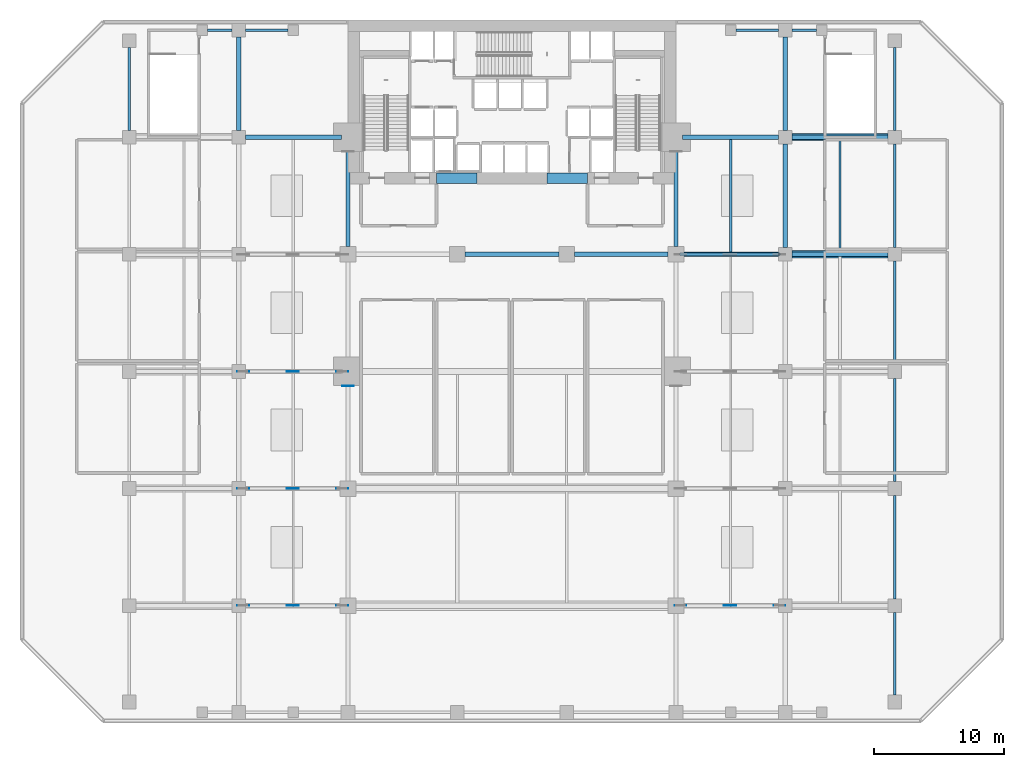
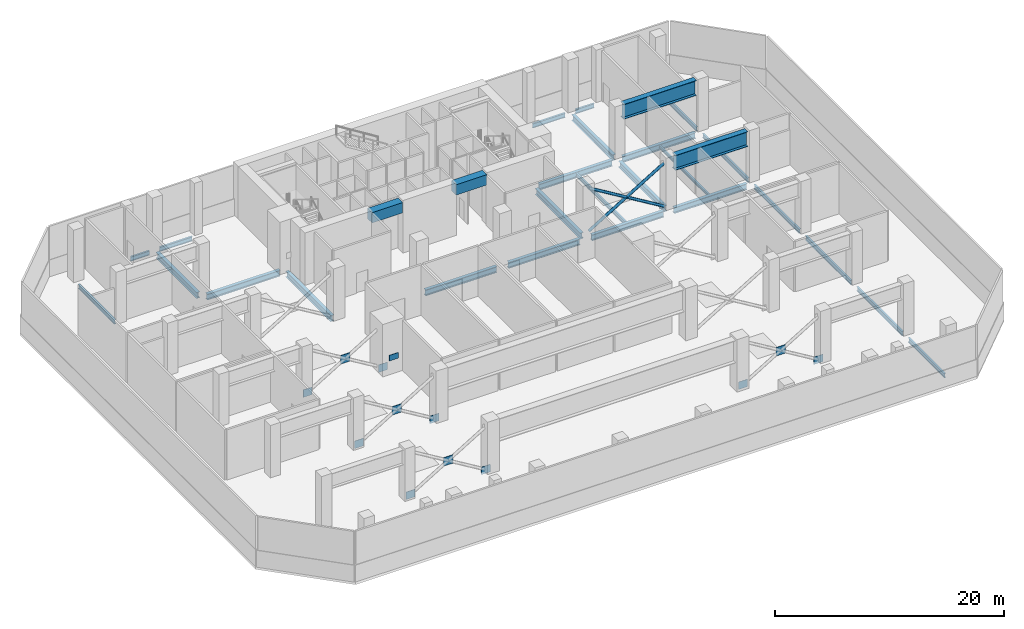
# One storey, part 3 of 15: 29 beams, 13 plates, 3 members.
"""IFC4 building model written with IfcOpenShell, lengths in metres."""

from ifc_helpers import new_model, si_unit, direction, frame, origin, origin_2d, place, context, subcontext, project, spatial, rectangle, hollow_circle, i_section, extrude, material, layer, layer_set, material_profile, profile_set, type_object, element, save


model = new_model("IFC4")

# Units and contexts
model_context = context("Model", 3, precision=1e-05, world=origin(), true_north=direction((0.0, 1.0)))
body_context = subcontext(model_context, "Body", "Model", "MODEL_VIEW")
ifc_project = project(units=[si_unit("LENGTHUNIT", "METRE"), si_unit("AREAUNIT", "SQUARE_METRE"), si_unit("VOLUMEUNIT", "CUBIC_METRE"), si_unit("PLANEANGLEUNIT", "RADIAN"), si_unit("MASSUNIT", "GRAM", prefix="KILO")], contexts=[model_context])

# Site, building, storey
site_placement = place(None, origin())
site = spatial("IfcSite", under=ifc_project, at=site_placement, CompositionType="ELEMENT")
building_placement = place(site_placement, origin())
building = spatial("IfcBuilding", under=site, at=building_placement, Name="Maruvema Waterfront Hotel and Observation Tower", CompositionType="ELEMENT")
storey_placement = place(building_placement, frame((0.0, 0.0, 21.35009765625)))
storey = spatial("IfcBuildingStorey", under=building, at=storey_placement, Name="L04", CompositionType="ELEMENT", Elevation=21.35009765625)

# Beams
ifc_material_1 = material(Name="Concrete C60/75", Category="concrete")
ifc_material_profile_1 = material_profile(ifc_material_1, rectangle(XDim=0.800048828125, YDim=1.10009765625, at=origin_2d()), Name="CB800x1100")
ifc_profile_set_1 = profile_set([ifc_material_profile_1], Name="Concrete C60/75")
beam_type_1 = type_object("IfcBeamType", Name="Core Coupling Lintel Beam CB800x1100", PredefinedType="LINTEL", material=ifc_profile_set_1)
for number, where, z_axis, x_axis, name in (
    (1, (32.0, 41.85009765625, 4.809814453125), (1.0, 0.0, 0.0), (0.0, 1.0, 0.0), "L04 Core Coupling Lintel Beam West"),
    (2, (40.5, 41.85009765625, 4.809814453125), (1.0, 0.0, 0.0), (0.0, 1.0, 0.0), "L04 Core Coupling Lintel Beam East"),
):
    element("IfcBeam", number, at=place(storey_placement, frame(where, z_axis=z_axis, x_axis=x_axis)), inside=storey, type_object=beam_type_1, Name=name, PredefinedType="LINTEL", context=body_context, shape_type="SweptSolid", body=[
        extrude(rectangle(XDim=0.800048828125, YDim=1.10009765625, at=origin_2d()), origin(), (0.0, 0.0, 1.0), 3.10009765625),
    ])
ifc_material_2 = material(Name="Steel ASTM A572 Grade 50", Category="steel")
ifc_material_profile_2 = material_profile(ifc_material_2, i_section(OverallWidth=0.18994140625, OverallDepth=0.45703125, WebThickness=0.009033203125, FlangeThickness=0.014404296875, FilletRadius=0.014892578125, at=origin_2d()), Name="W460x74.0")
ifc_profile_set_2 = profile_set([ifc_material_profile_2], Name="Steel ASTM A572 Grade 50")
beam_type_2 = type_object("IfcBeamType", Name="Perimeter Spandrel Beam W460x74.0", PredefinedType="SPANDREL", material=ifc_profile_set_2)
beam_1_placement = place(storey_placement, frame((14.39990234375, 53.199951171875, -0.508544921875), z_axis=(1.0, 0.0, 0.0), x_axis=(0.0, 1.0, 0.0)))
element("IfcBeam", 3, at=beam_1_placement, inside=storey, type_object=beam_type_2, Name="L04 Floor Girder EW-36", PredefinedType="SPANDREL", context=body_context, shape_type="SweptSolid", body=[
    extrude(i_section(OverallWidth=0.18994140625, OverallDepth=0.45703125, WebThickness=0.009033203125, FlangeThickness=0.014404296875, FilletRadius=0.014892578125, at=origin_2d()), origin(), (0.0, 0.0, 1.0), 1.875),
])
beam_2_placement = place(storey_placement, frame((17.324951171875, 53.199951171875, -0.508544921875), z_axis=(1.0, 0.0, 0.0), x_axis=(0.0, 1.0, 0.0)))
element("IfcBeam", 4, at=beam_2_placement, inside=storey, type_object=beam_type_2, Name="L04 Floor Girder EW-37", PredefinedType="SPANDREL", context=body_context, shape_type="SweptSolid", body=[
    extrude(i_section(OverallWidth=0.18994140625, OverallDepth=0.45703125, WebThickness=0.009033203125, FlangeThickness=0.014404296875, FilletRadius=0.014892578125, at=origin_2d()), origin(), (0.0, 0.0, 1.0), 3.275146484375),
])
beam_3_placement = place(storey_placement, frame((55.0, 53.199951171875, -0.508544921875), z_axis=(1.0, 0.0, 0.0), x_axis=(0.0, 1.0, 0.0)))
element("IfcBeam", 5, at=beam_3_placement, inside=storey, type_object=beam_type_2, Name="L04 Floor Girder EW-38", PredefinedType="SPANDREL", context=body_context, shape_type="SweptSolid", body=[
    extrude(i_section(OverallWidth=0.18994140625, OverallDepth=0.45703125, WebThickness=0.009033203125, FlangeThickness=0.014404296875, FilletRadius=0.014892578125, at=origin_2d()), origin(), (0.0, 0.0, 1.0), 3.27490234375),
])
beam_4_placement = place(storey_placement, frame((59.324951171875, 53.199951171875, -0.508544921875), z_axis=(1.0, 0.0, 0.0), x_axis=(0.0, 1.0, 0.0)))
element("IfcBeam", 6, at=beam_4_placement, inside=storey, type_object=beam_type_2, Name="L04 Floor Girder EW-39", PredefinedType="SPANDREL", context=body_context, shape_type="SweptSolid", body=[
    extrude(i_section(OverallWidth=0.18994140625, OverallDepth=0.45703125, WebThickness=0.009033203125, FlangeThickness=0.014404296875, FilletRadius=0.014892578125, at=origin_2d()), origin(), (0.0, 0.0, 1.0), 1.875),
])
for number, where, z_axis, x_axis, name in (
    (7, (8.39990234375, 45.52490234375, -0.508544921875), (0.0, 1.0, 0.0), (-1.0, 0.0, 0.0), "L04 Floor Girder NS-06"),
    (8, (67.199951171875, 2.125, -0.508544921875), (0.0, 1.0, 0.0), (-1.0, 0.0, 0.0), "L04 Floor Girder NS-29"),
):
    element("IfcBeam", number, at=place(storey_placement, frame(where, z_axis=z_axis, x_axis=x_axis)), inside=storey, type_object=beam_type_2, Name=name, PredefinedType="SPANDREL", context=body_context, shape_type="SweptSolid", body=[
        extrude(i_section(OverallWidth=0.18994140625, OverallDepth=0.45703125, WebThickness=0.009033203125, FlangeThickness=0.014404296875, FilletRadius=0.014892578125, at=origin_2d()), origin(), (0.0, 0.0, 1.0), 6.35009765625),
    ])
for number, where, z_axis, x_axis, name in (
    (9, (67.199951171875, 9.52490234375, -0.508544921875), (0.0, 1.0, 0.0), (-1.0, 0.0, 0.0), "L04 Floor Girder NS-30"),
    (10, (67.199951171875, 18.52490234375, -0.508544921875), (0.0, 1.0, 0.0), (-1.0, 0.0, 0.0), "L04 Floor Girder NS-31"),
    (11, (67.199951171875, 27.52490234375, -0.508544921875), (0.0, 1.0, 0.0), (-1.0, 0.0, 0.0), "L04 Floor Girder NS-32"),
    (12, (67.199951171875, 36.52490234375, -0.508544921875), (0.0, 1.0, 0.0), (-1.0, 0.0, 0.0), "L04 Floor Girder NS-33"),
):
    element("IfcBeam", number, at=place(storey_placement, frame(where, z_axis=z_axis, x_axis=x_axis)), inside=storey, type_object=beam_type_2, Name=name, PredefinedType="SPANDREL", context=body_context, shape_type="SweptSolid", body=[
        extrude(i_section(OverallWidth=0.18994140625, OverallDepth=0.45703125, WebThickness=0.009033203125, FlangeThickness=0.014404296875, FilletRadius=0.014892578125, at=origin_2d()), origin(), (0.0, 0.0, 1.0), 7.9501953125),
    ])
beam_5_placement = place(storey_placement, frame((67.199951171875, 45.52490234375, -0.508544921875), z_axis=(0.0, 1.0, 0.0), x_axis=(-1.0, 0.0, 0.0)))
element("IfcBeam", 13, at=beam_5_placement, inside=storey, type_object=beam_type_2, Name="L04 Floor Girder NS-34", PredefinedType="SPANDREL", context=body_context, shape_type="SweptSolid", body=[
    extrude(i_section(OverallWidth=0.18994140625, OverallDepth=0.45703125, WebThickness=0.009033203125, FlangeThickness=0.014404296875, FilletRadius=0.014892578125, at=origin_2d()), origin(), (0.0, 0.0, 1.0), 6.35009765625),
])

# Members
ifc_material_3 = material(Name="Steel ABNT NBR 7007 AR 350 (ASTM A572 Grade 50)", Category="steel")
ifc_material_profile_3 = material_profile(ifc_material_3, hollow_circle(Radius=0.136474609375, WallThickness=0.012451171875, at=origin_2d()), Name="CHS273.0x12.5")
ifc_profile_set_3 = profile_set([ifc_material_profile_3], Name="Steel ABNT NBR 7007 AR 350 (ASTM A572 Grade 50)")
member_type = type_object("IfcMemberType", Name="Podium Transfer Strut CHS273.0x12.5", PredefinedType="BRACE", material=ifc_profile_set_3)
member_placement = place(storey_placement, frame((50.75, 36.0, 0.14990234375), z_axis=(0.855997175683, 0.0, 0.516980497913), x_axis=(0.0, 1.0, 0.0)))
element("IfcMember", 14, at=member_placement, inside=storey, type_object=member_type, Name="L04 Transfer Truss Diagonal 08 Continuous A", PredefinedType="BRACE", context=body_context, shape_type="SweptSolid", body=[
    extrude(hollow_circle(Radius=0.136474609375, WallThickness=0.012451171875, at=origin_2d()), origin(), (0.0, 0.0, 1.0), 8.878662109375),
])
for number, where, z_axis, x_axis, name in (
    (15, (58.35009765625, 36.0, 0.14990234375), (-0.856002637589, 0.0, 0.516971454183), (0.0, -1.0, 0.0), "L04 Transfer Truss Diagonal 08 Split Lower B1"),
    (16, (54.532958984375, 36.0, 2.455322265625), (-0.856002637589, 0.0, 0.516971454183), (0.0, -1.0, 0.0), "L04 Transfer Truss Diagonal 08 Split Upper B2"),
):
    element("IfcMember", number, at=place(storey_placement, frame(where, z_axis=z_axis, x_axis=x_axis)), inside=storey, type_object=member_type, Name=name, PredefinedType="BRACE", context=body_context, shape_type="SweptSolid", body=[
        extrude(hollow_circle(Radius=0.136474609375, WallThickness=0.012451171875, at=origin_2d()), origin(), (0.0, 0.0, 1.0), 4.41943359375),
    ])

# Beams
ifc_material_4 = material(Name="Steel ASTM A572 Grade 50", Category="steel")
ifc_material_profile_4 = material_profile(ifc_material_4, i_section(OverallWidth=0.3291015625, OverallDepth=0.635009765625, WebThickness=0.017822265625, FlangeThickness=0.031005859375, FilletRadius=0.01806640625, at=origin_2d()), Name="W610x241.0")
ifc_profile_set_4 = profile_set([ifc_material_profile_4], Name="Steel ASTM A572 Grade 50")
beam_type_3 = type_object("IfcBeamType", Name="Primary Floor Girder W610x241.0", PredefinedType="BEAM", material=ifc_profile_set_4)
for number, where, z_axis, x_axis, name in (
    (17, (34.199951171875, 36.0, -0.59765625), (1.0, 0.0, 0.0), (0.0, 1.0, 0.0), "L04 Floor Girder EW-28"),
    (18, (42.60009765625, 36.0, -0.59765625), (1.0, 0.0, 0.0), (0.0, 1.0, 0.0), "L04 Floor Girder EW-29"),
):
    element("IfcBeam", number, at=place(storey_placement, frame(where, z_axis=z_axis, x_axis=x_axis)), inside=storey, type_object=beam_type_3, Name=name, PredefinedType="BEAM", context=body_context, shape_type="SweptSolid", body=[
        extrude(i_section(OverallWidth=0.3291015625, OverallDepth=0.635009765625, WebThickness=0.017822265625, FlangeThickness=0.031005859375, FilletRadius=0.01806640625, at=origin_2d()), origin(), (0.0, 0.0, 1.0), 7.199951171875),
    ])
beam_6_placement = place(storey_placement, frame((51.0, 36.0, -0.59765625), z_axis=(1.0, 0.0, 0.0), x_axis=(0.0, 1.0, 0.0)))
element("IfcBeam", 19, at=beam_6_placement, inside=storey, type_object=beam_type_3, Name="L04 Floor Girder EW-30", PredefinedType="BEAM", context=body_context, shape_type="SweptSolid", body=[
    extrude(i_section(OverallWidth=0.3291015625, OverallDepth=0.635009765625, WebThickness=0.017822265625, FlangeThickness=0.031005859375, FilletRadius=0.01806640625, at=origin_2d()), origin(), (0.0, 0.0, 1.0), 7.27490234375),
])
beam_7_placement = place(storey_placement, frame((59.324951171875, 36.0, -0.59765625), z_axis=(1.0, 0.0, 0.0), x_axis=(0.0, 1.0, 0.0)))
element("IfcBeam", 20, at=beam_7_placement, inside=storey, type_object=beam_type_3, Name="L04 Floor Girder EW-31", PredefinedType="BEAM", context=body_context, shape_type="SweptSolid", body=[
    extrude(i_section(OverallWidth=0.3291015625, OverallDepth=0.635009765625, WebThickness=0.017822265625, FlangeThickness=0.031005859375, FilletRadius=0.01806640625, at=origin_2d()), origin(), (0.0, 0.0, 1.0), 7.35009765625),
])
for number, where, z_axis, x_axis, name in (
    (21, (17.324951171875, 45.0, -0.59765625), (1.0, 0.0, 0.0), (0.0, 1.0, 0.0), "L04 Floor Girder EW-33"),
    (22, (50.89990234375, 45.0, -0.59765625), (1.0, 0.0, 0.0), (0.0, 1.0, 0.0), "L04 Floor Girder EW-34"),
):
    element("IfcBeam", number, at=place(storey_placement, frame(where, z_axis=z_axis, x_axis=x_axis)), inside=storey, type_object=beam_type_3, Name=name, PredefinedType="BEAM", context=body_context, shape_type="SweptSolid", body=[
        extrude(i_section(OverallWidth=0.3291015625, OverallDepth=0.635009765625, WebThickness=0.017822265625, FlangeThickness=0.031005859375, FilletRadius=0.01806640625, at=origin_2d()), origin(), (0.0, 0.0, 1.0), 7.375),
    ])
beam_8_placement = place(storey_placement, frame((59.324951171875, 45.0, -0.59765625), z_axis=(1.0, 0.0, 0.0), x_axis=(0.0, 1.0, 0.0)))
element("IfcBeam", 23, at=beam_8_placement, inside=storey, type_object=beam_type_3, Name="L04 Floor Girder EW-35", PredefinedType="BEAM", context=body_context, shape_type="SweptSolid", body=[
    extrude(i_section(OverallWidth=0.3291015625, OverallDepth=0.635009765625, WebThickness=0.017822265625, FlangeThickness=0.031005859375, FilletRadius=0.01806640625, at=origin_2d()), origin(), (0.0, 0.0, 1.0), 7.35009765625),
])
beam_9_placement = place(storey_placement, frame((16.800048828125, 45.52490234375, -0.59765625), z_axis=(0.0, 1.0, 0.0), x_axis=(-1.0, 0.0, 0.0)))
element("IfcBeam", 24, at=beam_9_placement, inside=storey, type_object=beam_type_3, Name="L04 Floor Girder NS-12", PredefinedType="BEAM", context=body_context, shape_type="SweptSolid", body=[
    extrude(i_section(OverallWidth=0.3291015625, OverallDepth=0.635009765625, WebThickness=0.017822265625, FlangeThickness=0.031005859375, FilletRadius=0.01806640625, at=origin_2d()), origin(), (0.0, 0.0, 1.0), 7.150146484375),
])
for number, where, z_axis, x_axis, name in (
    (25, (25.199951171875, 36.60009765625, -0.59765625), (0.0, 1.0, 0.0), (-1.0, 0.0, 0.0), "L04 Floor Girder NS-17"),
    (26, (50.39990234375, 36.60009765625, -0.59765625), (0.0, 1.0, 0.0), (-1.0, 0.0, 0.0), "L04 Floor Girder NS-22"),
):
    element("IfcBeam", number, at=place(storey_placement, frame(where, z_axis=z_axis, x_axis=x_axis)), inside=storey, type_object=beam_type_3, Name=name, PredefinedType="BEAM", context=body_context, shape_type="SweptSolid", body=[
        extrude(i_section(OverallWidth=0.3291015625, OverallDepth=0.635009765625, WebThickness=0.017822265625, FlangeThickness=0.031005859375, FilletRadius=0.01806640625, at=origin_2d()), origin(), (0.0, 0.0, 1.0), 7.89990234375),
    ])
beam_10_placement = place(storey_placement, frame((58.800048828125, 36.52490234375, -0.59765625), z_axis=(0.0, 1.0, 0.0), x_axis=(-1.0, 0.0, 0.0)))
element("IfcBeam", 27, at=beam_10_placement, inside=storey, type_object=beam_type_3, Name="L04 Floor Girder NS-27", PredefinedType="BEAM", context=body_context, shape_type="SweptSolid", body=[
    extrude(i_section(OverallWidth=0.3291015625, OverallDepth=0.635009765625, WebThickness=0.017822265625, FlangeThickness=0.031005859375, FilletRadius=0.01806640625, at=origin_2d()), origin(), (0.0, 0.0, 1.0), 7.9501953125),
])
beam_11_placement = place(storey_placement, frame((58.800048828125, 45.52490234375, -0.59765625), z_axis=(0.0, 1.0, 0.0), x_axis=(-1.0, 0.0, 0.0)))
element("IfcBeam", 28, at=beam_11_placement, inside=storey, type_object=beam_type_3, Name="L04 Floor Girder NS-28", PredefinedType="BEAM", context=body_context, shape_type="SweptSolid", body=[
    extrude(i_section(OverallWidth=0.3291015625, OverallDepth=0.635009765625, WebThickness=0.017822265625, FlangeThickness=0.031005859375, FilletRadius=0.01806640625, at=origin_2d()), origin(), (0.0, 0.0, 1.0), 7.150146484375),
])
ifc_material_5 = material(Name="Steel ASTM A572 Grade 50", Category="steel")
ifc_material_profile_5 = material_profile(ifc_material_5, i_section(OverallWidth=0.1669921875, OverallDepth=0.31689453125, WebThickness=0.007568359375, FlangeThickness=0.01318359375, FilletRadius=0.012939453125, at=origin_2d()), Name="W310x52.0")
ifc_profile_set_5 = profile_set([ifc_material_profile_5], Name="Steel ASTM A572 Grade 50")
beam_type_4 = type_object("IfcBeamType", Name="Secondary Floor Joist W310x52.0", PredefinedType="JOIST", material=ifc_profile_set_5)
beam_12_placement = place(storey_placement, frame((63.0, 36.16455078125, -0.4384765625), z_axis=(0.0, 1.0, 0.0), x_axis=(-1.0, 0.0, 0.0)))
element("IfcBeam", 29, at=beam_12_placement, inside=storey, type_object=beam_type_4, Name="L04 Secondary Floor Joist JS-20", PredefinedType="JOIST", context=body_context, shape_type="SweptSolid", body=[
    extrude(i_section(OverallWidth=0.1669921875, OverallDepth=0.31689453125, WebThickness=0.007568359375, FlangeThickness=0.01318359375, FilletRadius=0.012939453125, at=origin_2d()), origin(), (0.0, 0.0, 1.0), 8.6708984375),
])
ifc_material_6 = material(Name="Steel ASTM A572 Grade 50", Category="steel")
ifc_material_profile_6 = material_profile(ifc_material_6, i_section(OverallWidth=0.177001953125, OverallDepth=0.403076171875, WebThickness=0.007568359375, FlangeThickness=0.010986328125, FilletRadius=0.014892578125, at=origin_2d()), Name="W410x53.0")
ifc_profile_set_6 = profile_set([ifc_material_profile_6], Name="Steel ASTM A572 Grade 50")
beam_type_5 = type_object("IfcBeamType", Name="Secondary Floor Joist W410x53.0", PredefinedType="JOIST", material=ifc_profile_set_6)
beam_13_placement = place(storey_placement, frame((54.60009765625, 36.16455078125, -0.481689453125), z_axis=(0.0, 1.0, 0.0), x_axis=(-1.0, 0.0, 0.0)))
element("IfcBeam", 30, at=beam_13_placement, inside=storey, type_object=beam_type_5, Name="L04 Secondary Floor Joist JS-16", PredefinedType="JOIST", context=body_context, shape_type="SweptSolid", body=[
    extrude(i_section(OverallWidth=0.177001953125, OverallDepth=0.403076171875, WebThickness=0.007568359375, FlangeThickness=0.010986328125, FilletRadius=0.014892578125, at=origin_2d()), origin(), (0.0, 0.0, 1.0), 8.6708984375),
])
ifc_material_7 = material(Name="Steel ABNT NBR 7007 AR 415 (ASTM A572 Grade 50)", Category="steel")
ifc_material_profile_7 = material_profile(ifc_material_7, i_section(OverallWidth=0.550048828125, OverallDepth=1.60009765625, WebThickness=0.02197265625, FlangeThickness=0.0400390625, at=origin_2d()), Name="VS1600x548")
ifc_profile_set_7 = profile_set([ifc_material_profile_7], Name="Steel ABNT NBR 7007 AR 415 (ASTM A572 Grade 50)")
beam_type_6 = type_object("IfcBeamType", Name="Setback Transfer Girder VS1600x548", PredefinedType="USERDEFINED", material=ifc_profile_set_7)
for number, where, z_axis, x_axis, name in (
    (31, (59.324951171875, 36.0, 4.559814453125), (1.0, 0.0, 0.0), (0.0, 1.0, 0.0), "L04 Setback Transfer Girder E Y=36.0m"),
    (32, (59.324951171875, 45.0, 4.559814453125), (1.0, 0.0, 0.0), (0.0, 1.0, 0.0), "L04 Setback Transfer Girder E Y=45.0m"),
):
    element("IfcBeam", number, at=place(storey_placement, frame(where, z_axis=z_axis, x_axis=x_axis)), inside=storey, type_object=beam_type_6, Name=name, ObjectType="TRANSFER GIRDER", PredefinedType="USERDEFINED", context=body_context, shape_type="SweptSolid", body=[
        extrude(i_section(OverallWidth=0.550048828125, OverallDepth=1.60009765625, WebThickness=0.02197265625, FlangeThickness=0.0400390625, at=origin_2d()), origin(), (0.0, 0.0, 1.0), 7.35009765625),
    ])

# Plates
ifc_material_8 = material(Name="Steel ABNT NBR 7007 AR 415 (ASTM A572 Grade 50)", Category="steel")
ifc_layer = layer(ifc_material_8, 0.0400390625, Name="Structural Truss Node Gusset Plate 40 mm")
ifc_layer_set = layer_set([ifc_layer], Name="Steel ABNT NBR 7007 AR 415 (ASTM A572 Grade 50)")
plate_type = type_object("IfcPlateType", Name="Structural Truss Node Gusset Plate 40 mm", PredefinedType="USERDEFINED", material=ifc_layer_set)
plate_1_placement = place(storey_placement, frame((25.199951171875, 25.8798828125, 1.499755859375), z_axis=(0.0, 0.0, 1.0), x_axis=(1.0, 0.0, 0.0)))
element("IfcPlate", 33, at=plate_1_placement, inside=storey, type_object=plate_type, Name="L04 MC-01 Moment Frame Continuity Gusset Plate", ObjectType="GUSSET_PLATE", PredefinedType="USERDEFINED", context=body_context, shape_type="SweptSolid", body=[
    extrude(rectangle(XDim=0.89990234375, YDim=0.0400390625, at=origin_2d()), origin(), (0.0, 0.0, 1.0), 0.60009765625),
])
plate_2_placement = place(storey_placement, frame((17.14990234375, 9.0, -0.25), z_axis=(0.0, 0.0, 1.0), x_axis=(1.0, 0.0, 0.0)))
element("IfcPlate", 34, at=plate_2_placement, inside=storey, type_object=plate_type, Name="L04 Transfer Truss Diagonal 01 Continuous A Node Plate 1", ObjectType="GUSSET_PLATE", PredefinedType="USERDEFINED", context=body_context, shape_type="SweptSolid", body=[
    extrude(rectangle(XDim=0.89990234375, YDim=0.0400390625, at=origin_2d()), origin(), (0.0, 0.0, 1.0), 0.800048828125),
])
plate_3_placement = place(storey_placement, frame((20.949951171875, 9.0, 1.994873046875), z_axis=(0.0, 0.0, 1.0), x_axis=(-1.0, 0.0, 0.0)))
element("IfcPlate", 35, at=plate_3_placement, inside=storey, type_object=plate_type, Name="L04 Transfer Truss Diagonal 01 Crossing Gusset Node Plate", ObjectType="GUSSET_PLATE", PredefinedType="USERDEFINED", context=body_context, shape_type="SweptSolid", body=[
    extrude(rectangle(XDim=0.949951171875, YDim=0.0400390625, at=origin_2d()), origin(), (0.0, 0.0, 1.0), 0.89990234375),
])
for number, where, z_axis, x_axis, name in (
    (36, (24.75, 9.0, -0.25), (0.0, 0.0, 1.0), (-1.0, 0.0, 0.0), "L04 Transfer Truss Diagonal 01 Split Lower B1 Node Plate 1"),
    (37, (50.75, 9.0, -0.25), (0.0, 0.0, 1.0), (1.0, 0.0, 0.0), "L04 Transfer Truss Diagonal 02 Continuous A Node Plate 1"),
):
    element("IfcPlate", number, at=place(storey_placement, frame(where, z_axis=z_axis, x_axis=x_axis)), inside=storey, type_object=plate_type, Name=name, ObjectType="GUSSET_PLATE", PredefinedType="USERDEFINED", context=body_context, shape_type="SweptSolid", body=[
        extrude(rectangle(XDim=0.89990234375, YDim=0.0400390625, at=origin_2d()), origin(), (0.0, 0.0, 1.0), 0.800048828125),
    ])
plate_4_placement = place(storey_placement, frame((54.550048828125, 9.0, 1.994873046875), z_axis=(0.0, 0.0, 1.0), x_axis=(-1.0, 0.0, 0.0)))
element("IfcPlate", 38, at=plate_4_placement, inside=storey, type_object=plate_type, Name="L04 Transfer Truss Diagonal 02 Crossing Gusset Node Plate", ObjectType="GUSSET_PLATE", PredefinedType="USERDEFINED", context=body_context, shape_type="SweptSolid", body=[
    extrude(rectangle(XDim=0.949951171875, YDim=0.0400390625, at=origin_2d()), origin(), (0.0, 0.0, 1.0), 0.89990234375),
])
for number, where, z_axis, x_axis, name in (
    (39, (58.35009765625, 9.0, -0.25), (0.0, 0.0, 1.0), (-1.0, 0.0, 0.0), "L04 Transfer Truss Diagonal 02 Split Lower B1 Node Plate 1"),
    (40, (17.14990234375, 18.0, -0.25), (0.0, 0.0, 1.0), (1.0, 0.0, 0.0), "L04 Transfer Truss Diagonal 03 Continuous A Node Plate 1"),
):
    element("IfcPlate", number, at=place(storey_placement, frame(where, z_axis=z_axis, x_axis=x_axis)), inside=storey, type_object=plate_type, Name=name, ObjectType="GUSSET_PLATE", PredefinedType="USERDEFINED", context=body_context, shape_type="SweptSolid", body=[
        extrude(rectangle(XDim=0.89990234375, YDim=0.0400390625, at=origin_2d()), origin(), (0.0, 0.0, 1.0), 0.800048828125),
    ])
plate_5_placement = place(storey_placement, frame((20.949951171875, 18.0, 1.994873046875), z_axis=(0.0, 0.0, 1.0), x_axis=(-1.0, 0.0, 0.0)))
element("IfcPlate", 41, at=plate_5_placement, inside=storey, type_object=plate_type, Name="L04 Transfer Truss Diagonal 03 Crossing Gusset Node Plate", ObjectType="GUSSET_PLATE", PredefinedType="USERDEFINED", context=body_context, shape_type="SweptSolid", body=[
    extrude(rectangle(XDim=0.949951171875, YDim=0.0400390625, at=origin_2d()), origin(), (0.0, 0.0, 1.0), 0.89990234375),
])
for number, where, z_axis, x_axis, name in (
    (42, (24.75, 18.0, -0.25), (0.0, 0.0, 1.0), (-1.0, 0.0, 0.0), "L04 Transfer Truss Diagonal 03 Split Lower B1 Node Plate 1"),
    (43, (17.14990234375, 27.0, -0.25), (0.0, 0.0, 1.0), (1.0, 0.0, 0.0), "L04 Transfer Truss Diagonal 05 Continuous A Node Plate 1"),
):
    element("IfcPlate", number, at=place(storey_placement, frame(where, z_axis=z_axis, x_axis=x_axis)), inside=storey, type_object=plate_type, Name=name, ObjectType="GUSSET_PLATE", PredefinedType="USERDEFINED", context=body_context, shape_type="SweptSolid", body=[
        extrude(rectangle(XDim=0.89990234375, YDim=0.0400390625, at=origin_2d()), origin(), (0.0, 0.0, 1.0), 0.800048828125),
    ])
plate_6_placement = place(storey_placement, frame((20.949951171875, 27.0, 1.994873046875), z_axis=(0.0, 0.0, 1.0), x_axis=(-1.0, 0.0, 0.0)))
element("IfcPlate", 44, at=plate_6_placement, inside=storey, type_object=plate_type, Name="L04 Transfer Truss Diagonal 05 Crossing Gusset Node Plate", ObjectType="GUSSET_PLATE", PredefinedType="USERDEFINED", context=body_context, shape_type="SweptSolid", body=[
    extrude(rectangle(XDim=0.949951171875, YDim=0.0400390625, at=origin_2d()), origin(), (0.0, 0.0, 1.0), 0.89990234375),
])
plate_7_placement = place(storey_placement, frame((24.75, 27.0, -0.25), z_axis=(0.0, 0.0, 1.0), x_axis=(-1.0, 0.0, 0.0)))
element("IfcPlate", 45, at=plate_7_placement, inside=storey, type_object=plate_type, Name="L04 Transfer Truss Diagonal 05 Split Lower B1 Node Plate 1", ObjectType="GUSSET_PLATE", PredefinedType="USERDEFINED", context=body_context, shape_type="SweptSolid", body=[
    extrude(rectangle(XDim=0.89990234375, YDim=0.0400390625, at=origin_2d()), origin(), (0.0, 0.0, 1.0), 0.800048828125),
])

save(model, "model.ifc")
